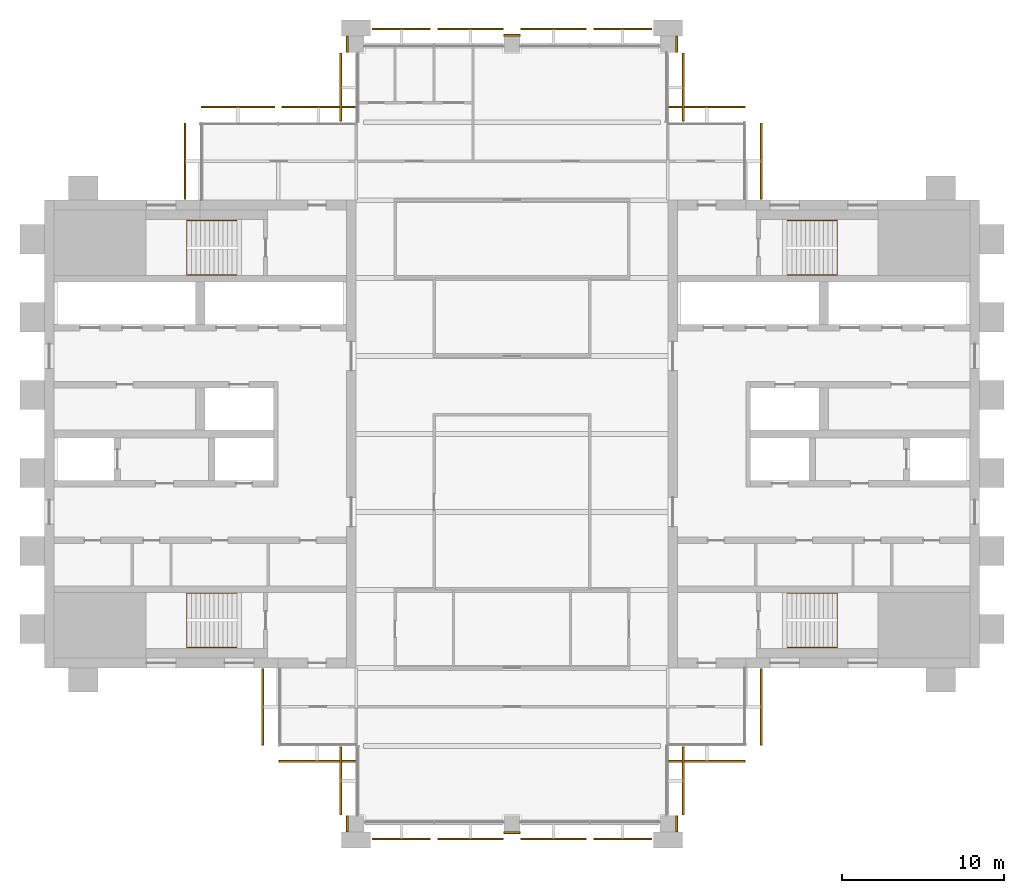
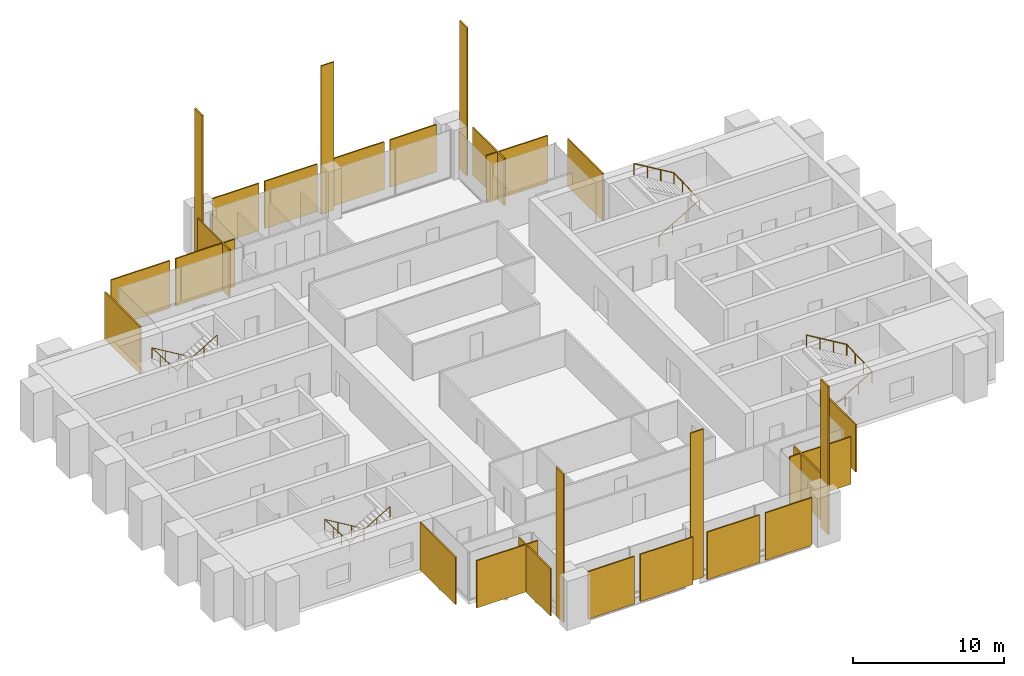
# One storey, part 12 of 12: 27 coverings, 4 railings.
"""IFC4 building model written with IfcOpenShell, lengths in metres."""

from ifc_helpers import new_model, si_unit, direction, frame, origin, origin_2d, place, context, subcontext, project, spatial, polyline, rectangle, circle, outline, extrude, material, layer, layer_set, type_object, element, save


model = new_model("IFC4")

# Units and contexts
model_context = context("Model", 3, precision=1e-05, world=origin(), true_north=direction((0.0, 1.0)))
body_context = subcontext(model_context, "Body", "Model", "MODEL_VIEW")
ifc_project = project(units=[si_unit("LENGTHUNIT", "METRE"), si_unit("AREAUNIT", "SQUARE_METRE"), si_unit("VOLUMEUNIT", "CUBIC_METRE"), si_unit("PLANEANGLEUNIT", "RADIAN"), si_unit("MASSUNIT", "GRAM", prefix="KILO")], contexts=[model_context])

# Site, building, storey
site_placement = place(None, origin())
site = spatial("IfcSite", under=ifc_project, at=site_placement, CompositionType="ELEMENT")
building_placement = place(site_placement, origin())
building = spatial("IfcBuilding", under=site, at=building_placement, Name="Baori Bourse Tower", CompositionType="ELEMENT")
storey_placement = place(building_placement, frame((0.0, 0.0, 282.300048828125)))
storey = spatial("IfcBuildingStorey", under=building, at=storey_placement, Name="L61", CompositionType="ELEMENT", Elevation=282.300048828125)

# Railings
ifc_material_1 = material(Name="Powder-coated steel balustrade", Category="steel")
railing_type = type_object("IfcRailingType", Name="Core stair handrail", PredefinedType="HANDRAIL", material=ifc_material_1)
railing_1_placement = place(storey_placement, frame((11.85009765625, 14.199951171875, 0.16650390625)))
element("IfcRailing", 1, at=railing_1_placement, inside=storey, type_object=railing_type, Name="L61 ST1 stair handrail 1", PredefinedType="HANDRAIL", context=body_context, shape_type="SweptSolid", body=[
    extrude(circle(Radius=0.02392578125, at=origin_2d()), frame((0.0, 0.0, 0.8759765625), z_axis=(-0.85927862911, 0.0, 0.511507807912), x_axis=(0.0, -1.0, 0.0)), (0.0, 0.0, 1.0), 3.58447265625),
    extrude(circle(Radius=0.02392578125, at=origin_2d()), frame((-3.080078125, 0.0, 2.70947265625), z_axis=(0.0, -0.998766999029, 0.049643545903), x_axis=(1.0, 0.0, 0.0)), (0.0, 0.0, 1.0), 3.35400390625),
    extrude(circle(Radius=0.02392578125, at=origin_2d()), frame((-3.080078125, -3.349853515625, 2.8759765625), z_axis=(0.85927862911, 0.0, 0.511507807912), x_axis=(0.0, 1.0, 0.0)), (0.0, 0.0, 1.0), 3.58447265625),
    extrude(circle(Radius=0.02099609375, at=origin_2d()), origin(), (0.0, 0.0, 1.0), 0.851806640625),
    extrude(circle(Radius=0.02099609375, at=origin_2d()), frame((-1.026611328125, 0.0, 0.611083984375)), (0.0, 0.0, 1.0), 0.851806640625),
    extrude(circle(Radius=0.02099609375, at=origin_2d()), frame((-2.053466796875, 0.0, 1.222412109375)), (0.0, 0.0, 1.0), 0.851806640625),
    extrude(circle(Radius=0.02099609375, at=origin_2d()), frame((-3.080078125, 0.0, 1.83349609375)), (0.0, 0.0, 1.0), 0.851806640625),
    extrude(circle(Radius=0.02099609375, at=origin_2d()), frame((-3.080078125, -1.11669921875, 1.888916015625)), (0.0, 0.0, 1.0), 0.851806640625),
    extrude(circle(Radius=0.02099609375, at=origin_2d()), frame((-3.080078125, -2.233154296875, 1.944580078125)), (0.0, 0.0, 1.0), 0.851806640625),
    extrude(circle(Radius=0.02099609375, at=origin_2d()), frame((-3.080078125, -3.349853515625, 2.0)), (0.0, 0.0, 1.0), 0.851806640625),
    extrude(circle(Radius=0.02099609375, at=origin_2d()), frame((-2.053466796875, -3.349853515625, 2.611083984375)), (0.0, 0.0, 1.0), 0.851806640625),
    extrude(circle(Radius=0.02099609375, at=origin_2d()), frame((-1.026611328125, -3.349853515625, 3.222412109375)), (0.0, 0.0, 1.0), 0.851806640625),
    extrude(circle(Radius=0.02099609375, at=origin_2d()), frame((0.0, -3.349853515625, 3.83349609375)), (0.0, 0.0, 1.0), 0.851806640625),
])
railing_2_placement = place(storey_placement, frame((11.85009765625, 37.14990234375, 0.16650390625)))
element("IfcRailing", 2, at=railing_2_placement, inside=storey, type_object=railing_type, Name="L61 ST2 stair handrail 1", PredefinedType="HANDRAIL", context=body_context, shape_type="SweptSolid", body=[
    extrude(circle(Radius=0.02392578125, at=origin_2d()), frame((0.0, 0.0, 0.8759765625), z_axis=(-0.85927862911, 0.0, 0.511507807912), x_axis=(0.0, -1.0, 0.0)), (0.0, 0.0, 1.0), 3.58447265625),
    extrude(circle(Radius=0.02392578125, at=origin_2d()), frame((-3.080078125, 0.0, 2.70947265625), z_axis=(0.0, -0.998766999029, 0.049643545903), x_axis=(1.0, 0.0, 0.0)), (0.0, 0.0, 1.0), 3.35400390625),
    extrude(circle(Radius=0.02392578125, at=origin_2d()), frame((-3.080078125, -3.349853515625, 2.8759765625), z_axis=(0.85927862911, 0.0, 0.511507807912), x_axis=(0.0, 1.0, 0.0)), (0.0, 0.0, 1.0), 3.58447265625),
    extrude(circle(Radius=0.02099609375, at=origin_2d()), origin(), (0.0, 0.0, 1.0), 0.851806640625),
    extrude(circle(Radius=0.02099609375, at=origin_2d()), frame((-1.026611328125, 0.0, 0.611083984375)), (0.0, 0.0, 1.0), 0.851806640625),
    extrude(circle(Radius=0.02099609375, at=origin_2d()), frame((-2.053466796875, 0.0, 1.222412109375)), (0.0, 0.0, 1.0), 0.851806640625),
    extrude(circle(Radius=0.02099609375, at=origin_2d()), frame((-3.080078125, 0.0, 1.83349609375)), (0.0, 0.0, 1.0), 0.851806640625),
    extrude(circle(Radius=0.02099609375, at=origin_2d()), frame((-3.080078125, -1.11669921875, 1.888916015625)), (0.0, 0.0, 1.0), 0.851806640625),
    extrude(circle(Radius=0.02099609375, at=origin_2d()), frame((-3.080078125, -2.233154296875, 1.944580078125)), (0.0, 0.0, 1.0), 0.851806640625),
    extrude(circle(Radius=0.02099609375, at=origin_2d()), frame((-3.080078125, -3.349853515625, 2.0)), (0.0, 0.0, 1.0), 0.851806640625),
    extrude(circle(Radius=0.02099609375, at=origin_2d()), frame((-2.053466796875, -3.349853515625, 2.611083984375)), (0.0, 0.0, 1.0), 0.851806640625),
    extrude(circle(Radius=0.02099609375, at=origin_2d()), frame((-1.026611328125, -3.349853515625, 3.222412109375)), (0.0, 0.0, 1.0), 0.851806640625),
    extrude(circle(Radius=0.02099609375, at=origin_2d()), frame((0.0, -3.349853515625, 3.83349609375)), (0.0, 0.0, 1.0), 0.851806640625),
])
railing_3_placement = place(storey_placement, frame((45.75, 10.85009765625, 0.16650390625)))
element("IfcRailing", 3, at=railing_3_placement, inside=storey, type_object=railing_type, Name="L61 ST3 stair handrail 1", PredefinedType="HANDRAIL", context=body_context, shape_type="SweptSolid", body=[
    extrude(circle(Radius=0.02392578125, at=origin_2d()), frame((0.0, 0.0, 0.8759765625), z_axis=(0.85927862911, 0.0, 0.511507807912), x_axis=(0.0, 1.0, 0.0)), (0.0, 0.0, 1.0), 3.58447265625),
    extrude(circle(Radius=0.02392578125, at=origin_2d()), frame((3.080078125, 0.0, 2.70947265625), z_axis=(0.0, 0.998766999029, 0.049643545903), x_axis=(-1.0, 0.0, 0.0)), (0.0, 0.0, 1.0), 3.35400390625),
    extrude(circle(Radius=0.02392578125, at=origin_2d()), frame((3.080078125, 3.349853515625, 2.8759765625), z_axis=(-0.85927862911, 0.0, 0.511507807912), x_axis=(0.0, -1.0, 0.0)), (0.0, 0.0, 1.0), 3.58447265625),
    extrude(circle(Radius=0.02099609375, at=origin_2d()), origin(), (0.0, 0.0, 1.0), 0.851806640625),
    extrude(circle(Radius=0.02099609375, at=origin_2d()), frame((1.026611328125, 0.0, 0.611083984375)), (0.0, 0.0, 1.0), 0.851806640625),
    extrude(circle(Radius=0.02099609375, at=origin_2d()), frame((2.053466796875, 0.0, 1.222412109375)), (0.0, 0.0, 1.0), 0.851806640625),
    extrude(circle(Radius=0.02099609375, at=origin_2d()), frame((3.080078125, 0.0, 1.83349609375)), (0.0, 0.0, 1.0), 0.851806640625),
    extrude(circle(Radius=0.02099609375, at=origin_2d()), frame((3.080078125, 1.11669921875, 1.888916015625)), (0.0, 0.0, 1.0), 0.851806640625),
    extrude(circle(Radius=0.02099609375, at=origin_2d()), frame((3.080078125, 2.233154296875, 1.944580078125)), (0.0, 0.0, 1.0), 0.851806640625),
    extrude(circle(Radius=0.02099609375, at=origin_2d()), frame((3.080078125, 3.349853515625, 2.0)), (0.0, 0.0, 1.0), 0.851806640625),
    extrude(circle(Radius=0.02099609375, at=origin_2d()), frame((2.053466796875, 3.349853515625, 2.611083984375)), (0.0, 0.0, 1.0), 0.851806640625),
    extrude(circle(Radius=0.02099609375, at=origin_2d()), frame((1.026611328125, 3.349853515625, 3.222412109375)), (0.0, 0.0, 1.0), 0.851806640625),
    extrude(circle(Radius=0.02099609375, at=origin_2d()), frame((0.0, 3.349853515625, 3.83349609375)), (0.0, 0.0, 1.0), 0.851806640625),
])
railing_4_placement = place(storey_placement, frame((45.75, 33.800048828125, 0.16650390625)))
element("IfcRailing", 4, at=railing_4_placement, inside=storey, type_object=railing_type, Name="L61 ST4 stair handrail 1", PredefinedType="HANDRAIL", context=body_context, shape_type="SweptSolid", body=[
    extrude(circle(Radius=0.02392578125, at=origin_2d()), frame((0.0, 0.0, 0.8759765625), z_axis=(0.85927862911, 0.0, 0.511507807912), x_axis=(0.0, 1.0, 0.0)), (0.0, 0.0, 1.0), 3.58447265625),
    extrude(circle(Radius=0.02392578125, at=origin_2d()), frame((3.080078125, 0.0, 2.70947265625), z_axis=(0.0, 0.998766999029, 0.049643545903), x_axis=(-1.0, 0.0, 0.0)), (0.0, 0.0, 1.0), 3.35400390625),
    extrude(circle(Radius=0.02392578125, at=origin_2d()), frame((3.080078125, 3.349853515625, 2.8759765625), z_axis=(-0.85927862911, 0.0, 0.511507807912), x_axis=(0.0, -1.0, 0.0)), (0.0, 0.0, 1.0), 3.58447265625),
    extrude(circle(Radius=0.02099609375, at=origin_2d()), origin(), (0.0, 0.0, 1.0), 0.851806640625),
    extrude(circle(Radius=0.02099609375, at=origin_2d()), frame((1.026611328125, 0.0, 0.611083984375)), (0.0, 0.0, 1.0), 0.851806640625),
    extrude(circle(Radius=0.02099609375, at=origin_2d()), frame((2.053466796875, 0.0, 1.222412109375)), (0.0, 0.0, 1.0), 0.851806640625),
    extrude(circle(Radius=0.02099609375, at=origin_2d()), frame((3.080078125, 0.0, 1.83349609375)), (0.0, 0.0, 1.0), 0.851806640625),
    extrude(circle(Radius=0.02099609375, at=origin_2d()), frame((3.080078125, 1.11669921875, 1.888916015625)), (0.0, 0.0, 1.0), 0.851806640625),
    extrude(circle(Radius=0.02099609375, at=origin_2d()), frame((3.080078125, 2.233154296875, 1.944580078125)), (0.0, 0.0, 1.0), 0.851806640625),
    extrude(circle(Radius=0.02099609375, at=origin_2d()), frame((3.080078125, 3.349853515625, 2.0)), (0.0, 0.0, 1.0), 0.851806640625),
    extrude(circle(Radius=0.02099609375, at=origin_2d()), frame((2.053466796875, 3.349853515625, 2.611083984375)), (0.0, 0.0, 1.0), 0.851806640625),
    extrude(circle(Radius=0.02099609375, at=origin_2d()), frame((1.026611328125, 3.349853515625, 3.222412109375)), (0.0, 0.0, 1.0), 0.851806640625),
    extrude(circle(Radius=0.02099609375, at=origin_2d()), frame((0.0, 3.349853515625, 3.83349609375)), (0.0, 0.0, 1.0), 0.851806640625),
])

# Coverings
ifc_material_2 = material(Name="Pale anodised aluminium", Category="aluminium")
ifc_layer_1 = layer(ifc_material_2, 0.10009765625)
ifc_layer_set_1 = layer_set([ifc_layer_1], Name="OS3 Outer skin screen panel")
covering_type_1 = type_object("IfcCoveringType", Name="OS3 Outer skin screen panel", PredefinedType="CLADDING", material=ifc_layer_set_1)
covering_1_placement = place(storey_placement, origin())
element("IfcCovering", 5, at=covering_1_placement, inside=storey, type_object=covering_type_1, Name="Outer skin screen L61 1", PredefinedType="CLADDING", context=body_context, shape_type="SweptSolid", body=[
    extrude(outline(polyline([(44.10009765625, 43.14990234375), (44.10009765625, 38.449951171875), (44.199951171875, 38.449951171875), (44.199951171875, 43.14990234375), (44.10009765625, 43.14990234375)])), origin(), (0.0, 0.0, 1.0), 3.83984375),
])
covering_2_placement = place(storey_placement, origin())
element("IfcCovering", 6, at=covering_2_placement, inside=storey, type_object=covering_type_1, Name="Outer skin screen L61 2", PredefinedType="CLADDING", context=body_context, shape_type="SweptSolid", body=[
    extrude(outline(polyline([(38.449951171875, 44.10009765625), (43.14990234375, 44.10009765625), (43.14990234375, 44.199951171875), (38.449951171875, 44.199951171875), (38.449951171875, 44.10009765625)])), origin(), (0.0, 0.0, 1.0), 3.83984375),
])
covering_3_placement = place(storey_placement, origin())
element("IfcCovering", 7, at=covering_3_placement, inside=storey, type_object=covering_type_1, Name="Outer skin screen L61 3", PredefinedType="CLADDING", context=body_context, shape_type="SweptSolid", body=[
    extrude(outline(polyline([(39.300048828125, 47.449951171875), (39.300048828125, 43.25), (39.39990234375, 43.25), (39.39990234375, 47.449951171875), (39.300048828125, 47.449951171875)])), origin(), (0.0, 0.0, 1.0), 3.83984375),
])
covering_4_placement = place(storey_placement, origin())
element("IfcCovering", 8, at=covering_4_placement, inside=storey, type_object=covering_type_1, Name="Outer skin screen L61 4", PredefinedType="CLADDING", context=body_context, shape_type="SweptSolid", body=[
    extrude(outline(polyline([(33.824951171875, 48.89990234375), (37.39990234375, 48.89990234375), (37.39990234375, 49.0), (33.824951171875, 49.0), (33.824951171875, 48.89990234375)])), origin(), (0.0, 0.0, 1.0), 3.83984375),
])
covering_5_placement = place(storey_placement, origin())
element("IfcCovering", 9, at=covering_5_placement, inside=storey, type_object=covering_type_1, Name="Outer skin screen L61 5", PredefinedType="CLADDING", context=body_context, shape_type="SweptSolid", body=[
    extrude(outline(polyline([(29.35009765625, 48.89990234375), (33.375, 48.89990234375), (33.375, 49.0), (29.35009765625, 49.0), (29.35009765625, 48.89990234375)])), origin(), (0.0, 0.0, 1.0), 3.83984375),
])
covering_6_placement = place(storey_placement, origin())
element("IfcCovering", 10, at=covering_6_placement, inside=storey, type_object=covering_type_1, Name="Outer skin screen L61 6", PredefinedType="CLADDING", context=body_context, shape_type="SweptSolid", body=[
    extrude(outline(polyline([(24.22509765625, 48.89990234375), (28.25, 48.89990234375), (28.25, 49.0), (24.22509765625, 49.0), (24.22509765625, 48.89990234375)])), origin(), (0.0, 0.0, 1.0), 3.83984375),
])
covering_7_placement = place(storey_placement, origin())
element("IfcCovering", 11, at=covering_7_placement, inside=storey, type_object=covering_type_1, Name="Outer skin screen L61 7", PredefinedType="CLADDING", context=body_context, shape_type="SweptSolid", body=[
    extrude(outline(polyline([(20.199951171875, 48.89990234375), (23.77490234375, 48.89990234375), (23.77490234375, 49.0), (20.199951171875, 49.0), (20.199951171875, 48.89990234375)])), origin(), (0.0, 0.0, 1.0), 3.83984375),
])
covering_8_placement = place(storey_placement, origin())
element("IfcCovering", 12, at=covering_8_placement, inside=storey, type_object=covering_type_1, Name="Outer skin screen L61 8", PredefinedType="CLADDING", context=body_context, shape_type="SweptSolid", body=[
    extrude(outline(polyline([(18.300048828125, 43.25), (18.300048828125, 47.449951171875), (18.199951171875, 47.449951171875), (18.199951171875, 43.25), (18.300048828125, 43.25)])), origin(), (0.0, 0.0, 1.0), 3.83984375),
])
covering_9_placement = place(storey_placement, origin())
element("IfcCovering", 13, at=covering_9_placement, inside=storey, type_object=covering_type_1, Name="Outer skin screen L61 9", PredefinedType="CLADDING", context=body_context, shape_type="SweptSolid", body=[
    extrude(outline(polyline([(14.625, 44.10009765625), (19.14990234375, 44.10009765625), (19.14990234375, 44.199951171875), (14.625, 44.199951171875), (14.625, 44.10009765625)])), origin(), (0.0, 0.0, 1.0), 3.83984375),
])
covering_10_placement = place(storey_placement, origin())
element("IfcCovering", 14, at=covering_10_placement, inside=storey, type_object=covering_type_1, Name="Outer skin screen L61 10", PredefinedType="CLADDING", context=body_context, shape_type="SweptSolid", body=[
    extrude(outline(polyline([(9.64990234375, 44.10009765625), (14.175048828125, 44.10009765625), (14.175048828125, 44.199951171875), (9.64990234375, 44.199951171875), (9.64990234375, 44.10009765625)])), origin(), (0.0, 0.0, 1.0), 3.83984375),
])
covering_11_placement = place(storey_placement, origin())
element("IfcCovering", 15, at=covering_11_placement, inside=storey, type_object=covering_type_1, Name="Outer skin screen L61 11", PredefinedType="CLADDING", context=body_context, shape_type="SweptSolid", body=[
    extrude(outline(polyline([(8.699951171875, 38.449951171875), (8.699951171875, 43.14990234375), (8.60009765625, 43.14990234375), (8.60009765625, 38.449951171875), (8.699951171875, 38.449951171875)])), origin(), (0.0, 0.0, 1.0), 3.83984375),
])
covering_12_placement = place(storey_placement, origin())
element("IfcCovering", 16, at=covering_12_placement, inside=storey, type_object=covering_type_1, Name="Outer skin screen L61 12", PredefinedType="CLADDING", context=body_context, shape_type="SweptSolid", body=[
    extrude(outline(polyline([(13.5, 4.85009765625), (13.5, 9.550048828125), (13.39990234375, 9.550048828125), (13.39990234375, 4.85009765625), (13.5, 4.85009765625)])), origin(), (0.0, 0.0, 1.0), 3.83984375),
])
covering_13_placement = place(storey_placement, origin())
element("IfcCovering", 17, at=covering_13_placement, inside=storey, type_object=covering_type_1, Name="Outer skin screen L61 13", PredefinedType="CLADDING", context=body_context, shape_type="SweptSolid", body=[
    extrude(outline(polyline([(19.14990234375, 3.89990234375), (14.449951171875, 3.89990234375), (14.449951171875, 3.800048828125), (19.14990234375, 3.800048828125), (19.14990234375, 3.89990234375)])), origin(), (0.0, 0.0, 1.0), 3.83984375),
])
covering_14_placement = place(storey_placement, origin())
element("IfcCovering", 18, at=covering_14_placement, inside=storey, type_object=covering_type_1, Name="Outer skin screen L61 14", PredefinedType="CLADDING", context=body_context, shape_type="SweptSolid", body=[
    extrude(outline(polyline([(18.300048828125, 0.550048828125), (18.300048828125, 4.75), (18.199951171875, 4.75), (18.199951171875, 0.550048828125), (18.300048828125, 0.550048828125)])), origin(), (0.0, 0.0, 1.0), 3.83984375),
])
covering_15_placement = place(storey_placement, origin())
element("IfcCovering", 19, at=covering_15_placement, inside=storey, type_object=covering_type_1, Name="Outer skin screen L61 15", PredefinedType="CLADDING", context=body_context, shape_type="SweptSolid", body=[
    extrude(outline(polyline([(23.77490234375, -0.89990234375), (20.199951171875, -0.89990234375), (20.199951171875, -1.0), (23.77490234375, -1.0), (23.77490234375, -0.89990234375)])), origin(), (0.0, 0.0, 1.0), 3.83984375),
])
covering_16_placement = place(storey_placement, origin())
element("IfcCovering", 20, at=covering_16_placement, inside=storey, type_object=covering_type_1, Name="Outer skin screen L61 16", PredefinedType="CLADDING", context=body_context, shape_type="SweptSolid", body=[
    extrude(outline(polyline([(28.25, -0.89990234375), (24.22509765625, -0.89990234375), (24.22509765625, -1.0), (28.25, -1.0), (28.25, -0.89990234375)])), origin(), (0.0, 0.0, 1.0), 3.83984375),
])
covering_17_placement = place(storey_placement, origin())
element("IfcCovering", 21, at=covering_17_placement, inside=storey, type_object=covering_type_1, Name="Outer skin screen L61 17", PredefinedType="CLADDING", context=body_context, shape_type="SweptSolid", body=[
    extrude(outline(polyline([(33.375, -0.89990234375), (29.35009765625, -0.89990234375), (29.35009765625, -1.0), (33.375, -1.0), (33.375, -0.89990234375)])), origin(), (0.0, 0.0, 1.0), 3.83984375),
])
covering_18_placement = place(storey_placement, origin())
element("IfcCovering", 22, at=covering_18_placement, inside=storey, type_object=covering_type_1, Name="Outer skin screen L61 18", PredefinedType="CLADDING", context=body_context, shape_type="SweptSolid", body=[
    extrude(outline(polyline([(37.39990234375, -0.89990234375), (33.824951171875, -0.89990234375), (33.824951171875, -1.0), (37.39990234375, -1.0), (37.39990234375, -0.89990234375)])), origin(), (0.0, 0.0, 1.0), 3.83984375),
])
covering_19_placement = place(storey_placement, origin())
element("IfcCovering", 23, at=covering_19_placement, inside=storey, type_object=covering_type_1, Name="Outer skin screen L61 19", PredefinedType="CLADDING", context=body_context, shape_type="SweptSolid", body=[
    extrude(outline(polyline([(39.300048828125, 4.75), (39.300048828125, 0.550048828125), (39.39990234375, 0.550048828125), (39.39990234375, 4.75), (39.300048828125, 4.75)])), origin(), (0.0, 0.0, 1.0), 3.83984375),
])
covering_20_placement = place(storey_placement, origin())
element("IfcCovering", 24, at=covering_20_placement, inside=storey, type_object=covering_type_1, Name="Outer skin screen L61 20", PredefinedType="CLADDING", context=body_context, shape_type="SweptSolid", body=[
    extrude(outline(polyline([(43.14990234375, 3.89990234375), (38.449951171875, 3.89990234375), (38.449951171875, 3.800048828125), (43.14990234375, 3.800048828125), (43.14990234375, 3.89990234375)])), origin(), (0.0, 0.0, 1.0), 3.83984375),
])
covering_21_placement = place(storey_placement, origin())
element("IfcCovering", 25, at=covering_21_placement, inside=storey, type_object=covering_type_1, Name="Outer skin screen L61 21", PredefinedType="CLADDING", context=body_context, shape_type="SweptSolid", body=[
    extrude(outline(polyline([(44.10009765625, 9.550048828125), (44.10009765625, 4.85009765625), (44.199951171875, 4.85009765625), (44.199951171875, 9.550048828125), (44.10009765625, 9.550048828125)])), origin(), (0.0, 0.0, 1.0), 3.83984375),
])
ifc_material_3 = material(Name="Face brick", Category="masonry")
ifc_layer_2 = layer(ifc_material_3, 0.110107421875)
ifc_layer_set_2 = layer_set([ifc_layer_2], Name="PC1 Brick pier facing")
covering_type_2 = type_object("IfcCoveringType", Name="PC1 Brick pier facing", PredefinedType="CLADDING", material=ifc_layer_set_2)
covering_22_placement = place(storey_placement, frame((18.64501953125, 0.0, 0.0), z_axis=(0.0, 0.0, 1.0), x_axis=(1.0, 0.0, 0.0)))
element("IfcCovering", 26, at=covering_22_placement, inside=storey, type_object=covering_type_2, Name="Brick pier facing L61 1", PredefinedType="CLADDING", context=body_context, shape_type="SweptSolid", body=[
    extrude(rectangle(XDim=0.110107421875, YDim=1.0, at=origin_2d()), origin(), (0.0, 0.0, 1.0), 12.0),
])
covering_23_placement = place(storey_placement, frame((28.800048828125, -0.554931640625, 0.0), z_axis=(0.0, 0.0, 1.0), x_axis=(1.0, 0.0, 0.0)))
element("IfcCovering", 27, at=covering_23_placement, inside=storey, type_object=covering_type_2, Name="Brick pier facing L61 2", PredefinedType="CLADDING", context=body_context, shape_type="SweptSolid", body=[
    extrude(rectangle(XDim=1.0, YDim=0.110107421875, at=origin_2d()), origin(), (0.0, 0.0, 1.0), 12.0),
])
for number, where, z_axis, x_axis, name in (
    (28, (38.955078125, 0.0, 0.0), (0.0, 0.0, 1.0), (1.0, 0.0, 0.0), "Brick pier facing L61 3"),
    (29, (18.64501953125, 48.0, 0.0), (0.0, 0.0, 1.0), (1.0, 0.0, 0.0), "Brick pier facing L61 4"),
):
    element("IfcCovering", number, at=place(storey_placement, frame(where, z_axis=z_axis, x_axis=x_axis)), inside=storey, type_object=covering_type_2, Name=name, PredefinedType="CLADDING", context=body_context, shape_type="SweptSolid", body=[
        extrude(rectangle(XDim=0.110107421875, YDim=1.0, at=origin_2d()), origin(), (0.0, 0.0, 1.0), 12.0),
    ])
covering_24_placement = place(storey_placement, frame((28.800048828125, 48.554931640625, 0.0), z_axis=(0.0, 0.0, 1.0), x_axis=(1.0, 0.0, 0.0)))
element("IfcCovering", 30, at=covering_24_placement, inside=storey, type_object=covering_type_2, Name="Brick pier facing L61 5", PredefinedType="CLADDING", context=body_context, shape_type="SweptSolid", body=[
    extrude(rectangle(XDim=1.0, YDim=0.110107421875, at=origin_2d()), origin(), (0.0, 0.0, 1.0), 12.0),
])
covering_25_placement = place(storey_placement, frame((38.955078125, 48.0, 0.0), z_axis=(0.0, 0.0, 1.0), x_axis=(1.0, 0.0, 0.0)))
element("IfcCovering", 31, at=covering_25_placement, inside=storey, type_object=covering_type_2, Name="Brick pier facing L61 6", PredefinedType="CLADDING", context=body_context, shape_type="SweptSolid", body=[
    extrude(rectangle(XDim=0.110107421875, YDim=1.0, at=origin_2d()), origin(), (0.0, 0.0, 1.0), 12.0),
])

save(model, "model.ifc")
